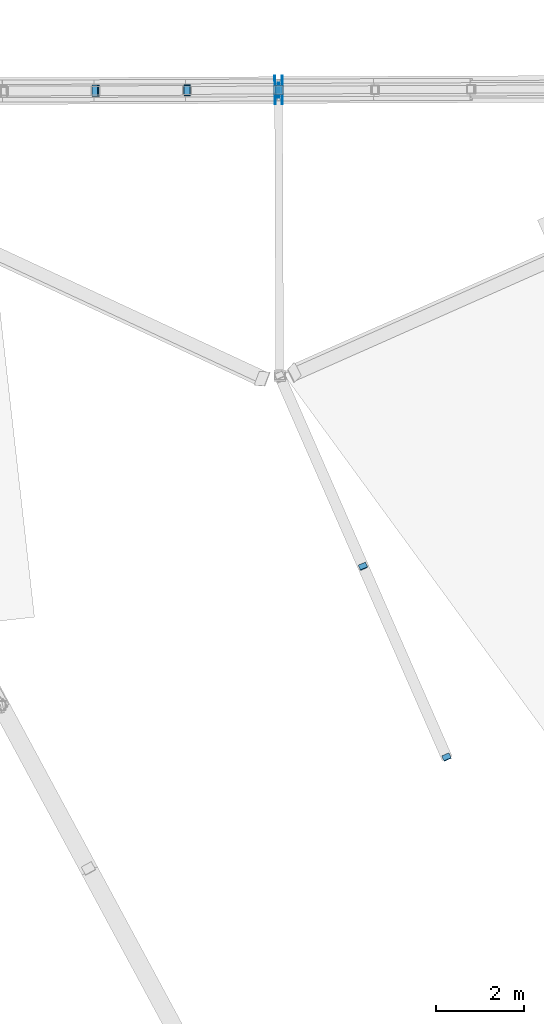
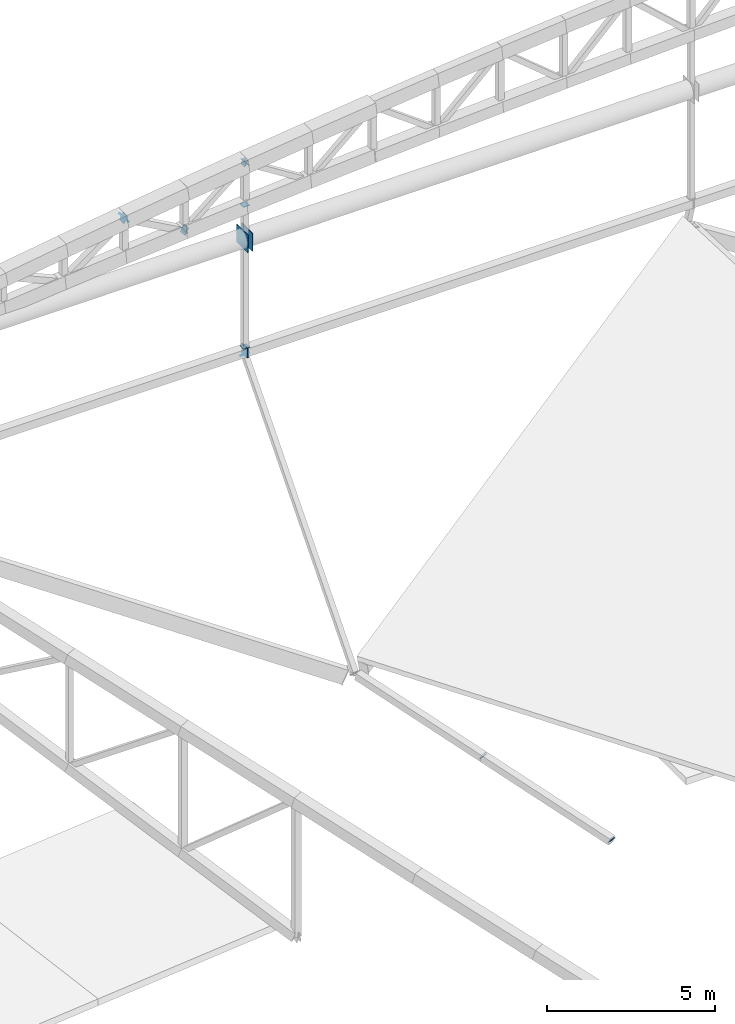
# One storey, part 169 of 188: 15 discrete accessories.
"""IFC4 building model written with IfcOpenShell, lengths in metres."""

from ifc_helpers import new_model, si_unit, direction, frame, origin, origin_2d, place, context, subcontext, project, spatial, rectangle, extrude, material, material_profile, profile_set, type_object, element, save


model = new_model("IFC4")

# Units and contexts
model_context = context("Model", 3, precision=1e-05, world=origin(), true_north=direction((0.0, 1.0)))
body_context = subcontext(model_context, "Body", "Model", "MODEL_VIEW")
ifc_project = project(units=[si_unit("LENGTHUNIT", "METRE"), si_unit("AREAUNIT", "SQUARE_METRE"), si_unit("VOLUMEUNIT", "CUBIC_METRE"), si_unit("PLANEANGLEUNIT", "RADIAN"), si_unit("MASSUNIT", "GRAM", prefix="KILO")], contexts=[model_context])

# Site, building, storey
site_placement = place(None, origin())
site = spatial("IfcSite", under=ifc_project, at=site_placement, CompositionType="ELEMENT")
building_placement = place(site_placement, origin())
building = spatial("IfcBuilding", under=site, at=building_placement, Name="Meseta Stadium", CompositionType="ELEMENT")
storey_placement = place(building_placement, frame((0.0, 0.0, 30.0)))
storey = spatial("IfcBuildingStorey", under=building, at=storey_placement, Name="ROOF", CompositionType="ELEMENT", Elevation=30.0)

# Discrete accessories
ifc_material_1 = material(Name="Steel S355", Category="steel")
ifc_material_profile_1 = material_profile(ifc_material_1, rectangle(XDim=0.179931640625, YDim=0.179931640625, at=origin_2d()), Name="PL 180x180")
ifc_profile_set_1 = profile_set([ifc_material_profile_1], Name="Steel S355")
discrete_accessory_type_1 = type_object("IfcDiscreteAccessoryType", Name="End plate 180x180x20", PredefinedType="ANCHORPLATE", material=ifc_profile_set_1)
for number, where, z_axis, x_axis, name in (
    (1, (-34.53076171875, 89.911865234375, 1.538330078125), (-0.292400403797, 0.670084258702, 0.68226760886), (-0.91653937837, -0.399944456016, 0.0), "End plate of ROOF TRUSS RT-21 diagonal"),
    (2, (-36.43212890625, 94.255859375, 2.608154296875), (-0.292400403797, 0.68226760886, 0.670084258702), (-0.919145030018, -0.393919298579, 0.0), "End plate of ROOF TRUSS RT-21 diagonal"),
):
    element("IfcDiscreteAccessory", number, at=place(storey_placement, frame(where, z_axis=z_axis, x_axis=x_axis)), inside=storey, type_object=discrete_accessory_type_1, Name=name, PredefinedType="ANCHORPLATE", context=body_context, shape_type="SweptSolid", body=[
        extrude(rectangle(XDim=0.179931640625, YDim=0.179931640625, at=origin_2d()), origin(), (0.0, 0.0, 1.0), 0.02001953125),
    ])
ifc_material_2 = material(Name="Steel S355", Category="steel")
ifc_material_profile_2 = material_profile(ifc_material_2, rectangle(XDim=0.219970703125, YDim=0.219970703125, at=origin_2d()), Name="PL 220x220")
ifc_profile_set_2 = profile_set([ifc_material_profile_2], Name="Steel S355")
discrete_accessory_type_2 = type_object("IfcDiscreteAccessoryType", Name="End plate 220x220x20", PredefinedType="ANCHORPLATE", material=ifc_profile_set_2)
discrete_accessory_1_placement = place(storey_placement, frame((-38.3583984375, 105.10498046875, 18.2880859375), z_axis=(-0.848688585215, 0.0, 0.528892886439), x_axis=(0.0, -1.0, 0.0)))
element("IfcDiscreteAccessory", 3, at=discrete_accessory_1_placement, inside=storey, type_object=discrete_accessory_type_2, Name="End plate of GABLE ARCH GA-N diagonal", PredefinedType="ANCHORPLATE", context=body_context, shape_type="SweptSolid", body=[
    extrude(rectangle(XDim=0.219970703125, YDim=0.219970703125, at=origin_2d()), origin(), (0.0, 0.0, 1.0), 0.019775390625),
])
for number, where, z_axis, x_axis, name in (
    (4, (-38.343017578125, 105.10498046875, 18.30078125), (-0.771223025002, 0.0, -0.63656503651), (0.0, -1.0, 0.0), "End plate of GABLE ARCH GA-N diagonal"),
    (5, (-40.4423828125, 105.096923828125, 16.5732421875), (-0.776114000116, 0.0, -0.630592625094), (0.0, -1.0, 0.0), "End plate of GABLE ARCH GA-N diagonal"),
):
    element("IfcDiscreteAccessory", number, at=place(storey_placement, frame(where, z_axis=z_axis, x_axis=x_axis)), inside=storey, type_object=discrete_accessory_type_2, Name=name, PredefinedType="ANCHORPLATE", context=body_context, shape_type="SweptSolid", body=[
        extrude(rectangle(XDim=0.219970703125, YDim=0.219970703125, at=origin_2d()), origin(), (0.0, 0.0, 1.0), 0.02001953125),
    ])
discrete_accessory_2_placement = place(storey_placement, frame((-38.3583984375, 105.10498046875, 16.75927734375), z_axis=(0.0, 0.0, -1.0), x_axis=(1.0, 0.0, 0.0)))
element("IfcDiscreteAccessory", 6, at=discrete_accessory_2_placement, inside=storey, type_object=discrete_accessory_type_2, Name="End plate of GABLE ARCH GA-N hanger RT-21", PredefinedType="ANCHORPLATE", context=body_context, shape_type="SweptSolid", body=[
    extrude(rectangle(XDim=0.219970703125, YDim=0.219970703125, at=origin_2d()), origin(), (0.0, 0.0, 1.0), 0.019775390625),
])
for number, where, z_axis, x_axis, name in (
    (7, (-38.3583984375, 105.10498046875, 11.60009765625), (0.0, 0.0, -1.0), (1.0, 0.0, 0.0), "End plate of GABLE ARCH GA-N hanger RT-21"),
    (8, (-38.3583984375, 105.117919921875, 11.315185546875), (0.0, -0.649781149204, -0.760121344352), (1.0, 0.0, 0.0), "End plate of GABLE ARCH GA-N hanger RT-21"),
):
    element("IfcDiscreteAccessory", number, at=place(storey_placement, frame(where, z_axis=z_axis, x_axis=x_axis)), inside=storey, type_object=discrete_accessory_type_2, Name=name, PredefinedType="ANCHORPLATE", context=body_context, shape_type="SweptSolid", body=[
        extrude(rectangle(XDim=0.219970703125, YDim=0.219970703125, at=origin_2d()), origin(), (0.0, 0.0, 1.0), 0.02001953125),
    ])
ifc_material_3 = material(Name="Steel S355", Category="steel")
ifc_material_profile_3 = material_profile(ifc_material_3, rectangle(XDim=0.260009765625, YDim=0.260009765625, at=origin_2d()), Name="PL 260x260")
ifc_profile_set_3 = profile_set([ifc_material_profile_3], Name="Steel S355")
discrete_accessory_type_3 = type_object("IfcDiscreteAccessoryType", Name="End plate 260x260x20", PredefinedType="ANCHORPLATE", material=ifc_profile_set_3)
for number, where, z_axis, x_axis, name in (
    (9, (-40.425048828125, 105.096923828125, 16.5634765625), (-0.871247627745, 0.0, 0.490843733941), (0.0, -1.0, 0.0), "End plate of GABLE ARCH GA-N diagonal"),
    (10, (-42.526611328125, 105.0888671875, 17.735107421875), (-0.871247627745, 0.0, 0.490843733941), (0.0, -1.0, 0.0), "End plate of GABLE ARCH GA-N diagonal"),
):
    element("IfcDiscreteAccessory", number, at=place(storey_placement, frame(where, z_axis=z_axis, x_axis=x_axis)), inside=storey, type_object=discrete_accessory_type_3, Name=name, PredefinedType="ANCHORPLATE", context=body_context, shape_type="SweptSolid", body=[
        extrude(rectangle(XDim=0.260009765625, YDim=0.260009765625, at=origin_2d()), origin(), (0.0, 0.0, 1.0), 0.019775390625),
    ])
discrete_accessory_3_placement = place(storey_placement, frame((-42.510498046875, 105.0888671875, 17.7470703125), z_axis=(-0.802910201746, 0.0, -0.596099998266), x_axis=(0.0, -1.0, 0.0)))
element("IfcDiscreteAccessory", 11, at=discrete_accessory_3_placement, inside=storey, type_object=discrete_accessory_type_3, Name="End plate of GABLE ARCH GA-N diagonal", PredefinedType="ANCHORPLATE", context=body_context, shape_type="SweptSolid", body=[
    extrude(rectangle(XDim=0.260009765625, YDim=0.260009765625, at=origin_2d()), origin(), (0.0, 0.0, 1.0), 0.02001953125),
])
ifc_material_4 = material(Name="Steel S355", Category="steel")
ifc_material_profile_4 = material_profile(ifc_material_4, rectangle(XDim=0.340087890625, YDim=0.340087890625, at=origin_2d()), Name="PL 340x340")
ifc_profile_set_4 = profile_set([ifc_material_profile_4], Name="Steel S355")
discrete_accessory_type_4 = type_object("IfcDiscreteAccessoryType", Name="End plate 340x340x20", PredefinedType="ANCHORPLATE", material=ifc_profile_set_4)
for number, where, z_axis, x_axis, name in (
    (12, (-38.3583984375, 105.10498046875, 11.449951171875), (-0.999925647793, -0.012194215217, 0.0), (0.012194215217, -0.999925647793, 0.0), "End plate of GABLE ARCH GA-N sill beam 05"),
    (13, (-38.33837890625, 105.10498046875, 11.449951171875), (-1.0, 0.0, 0.0), (0.0, -1.0, 0.0), "End plate of GABLE ARCH GA-N sill beam 06"),
):
    element("IfcDiscreteAccessory", number, at=place(storey_placement, frame(where, z_axis=z_axis, x_axis=x_axis)), inside=storey, type_object=discrete_accessory_type_4, Name=name, PredefinedType="ANCHORPLATE", context=body_context, shape_type="SweptSolid", body=[
        extrude(rectangle(XDim=0.340087890625, YDim=0.340087890625, at=origin_2d()), origin(), (0.0, 0.0, 1.0), 0.02001953125),
    ])
ifc_material_5 = material(Name="Steel S355", Category="steel")
ifc_material_profile_5 = material_profile(ifc_material_5, rectangle(XDim=0.64990234375, YDim=0.64990234375, at=origin_2d()), Name="PL 650x650")
ifc_profile_set_5 = profile_set([ifc_material_profile_5], Name="Steel S355")
discrete_accessory_type_5 = type_object("IfcDiscreteAccessoryType", Name="End plate 650x650x20", PredefinedType="ANCHORPLATE", material=ifc_profile_set_5)
discrete_accessory_4_placement = place(storey_placement, frame((-38.268310546875, 105.105224609375, 15.550048828125), z_axis=(-1.0, 0.0, 0.0), x_axis=(0.0, -1.0, 0.0)))
element("IfcDiscreteAccessory", 14, at=discrete_accessory_4_placement, inside=storey, type_object=discrete_accessory_type_5, Name="End plate of GABLE ARCH GA-N tie 05", PredefinedType="ANCHORPLATE", context=body_context, shape_type="SweptSolid", body=[
    extrude(rectangle(XDim=0.64990234375, YDim=0.64990234375, at=origin_2d()), origin(), (0.0, 0.0, 1.0), 0.02001953125),
])
discrete_accessory_5_placement = place(storey_placement, frame((-38.428466796875, 105.104736328125, 15.550048828125), z_axis=(-0.999923800815, -0.012344738282, 0.0), x_axis=(0.012344738282, -0.999923800815, 0.0)))
element("IfcDiscreteAccessory", 15, at=discrete_accessory_5_placement, inside=storey, type_object=discrete_accessory_type_5, Name="End plate of GABLE ARCH GA-N tie 06", PredefinedType="ANCHORPLATE", context=body_context, shape_type="SweptSolid", body=[
    extrude(rectangle(XDim=0.64990234375, YDim=0.64990234375, at=origin_2d()), origin(), (0.0, 0.0, 1.0), 0.019775390625),
])

save(model, "model.ifc")
